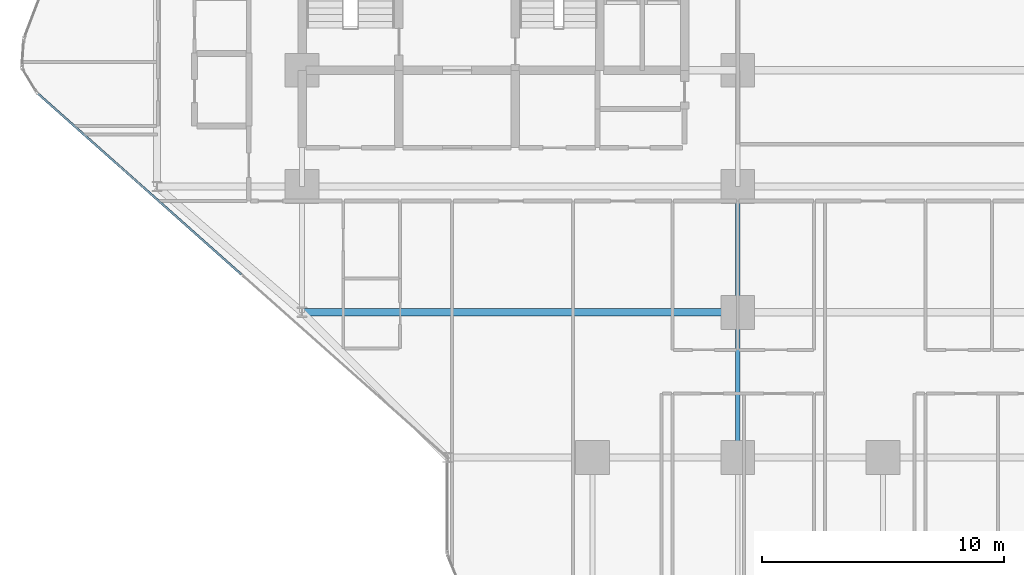
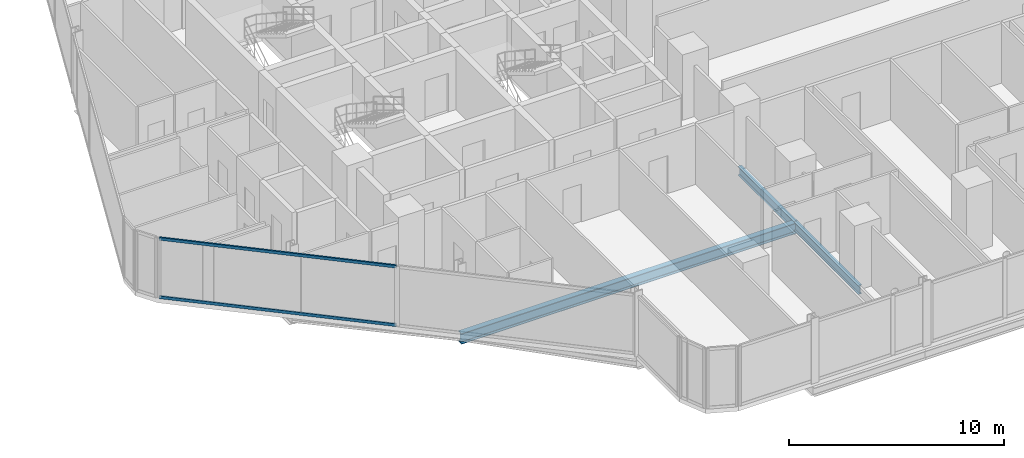
# One storey, part 4 of 33: 3 beams, 2 members, 1 element without a shape of its own.
"""IFC4 building model written with IfcOpenShell, lengths in metres."""

from ifc_helpers import new_model, si_unit, direction, frame, origin, origin_2d, place, context, subcontext, project, spatial, hollow_rectangle, i_section, extrude, material, layer, layer_set, material_profile, profile_set, type_object, element, aggregate, save


model = new_model("IFC4")

# Units and contexts
model_context = context("Model", 3, precision=1e-05, world=origin(), true_north=direction((0.0, 1.0)))
body_context = subcontext(model_context, "Body", "Model", "MODEL_VIEW")
ifc_project = project(units=[si_unit("LENGTHUNIT", "METRE"), si_unit("AREAUNIT", "SQUARE_METRE"), si_unit("VOLUMEUNIT", "CUBIC_METRE"), si_unit("PLANEANGLEUNIT", "RADIAN"), si_unit("MASSUNIT", "GRAM", prefix="KILO")], contexts=[model_context])

# Site, building, storey
site_placement = place(None, origin())
site = spatial("IfcSite", under=ifc_project, at=site_placement, CompositionType="ELEMENT")
building_placement = place(site_placement, origin())
building = spatial("IfcBuilding", under=site, at=building_placement, Name="Keshet Zoharim Tower", CompositionType="ELEMENT")
storey_placement = place(building_placement, frame((0.0, 0.0, 42.5)))
storey = spatial("IfcBuildingStorey", under=building, at=storey_placement, Name="L09", CompositionType="ELEMENT", Elevation=42.5)

# Beams
ifc_material_1 = material(Name="Steel S355", Category="steel")
ifc_material_profile_1 = material_profile(ifc_material_1, i_section(OverallWidth=0.300048828125, OverallDepth=0.60009765625, WebThickness=0.015380859375, FlangeThickness=0.030029296875, FilletRadius=0.027099609375, at=origin_2d()), Name="HEB600")
ifc_profile_set_1 = profile_set([ifc_material_profile_1], Name="Steel S355")
beam_type_1 = type_object("IfcBeamType", Name="BM-LNG-HB600", PredefinedType="BEAM", material=ifc_profile_set_1)
beam_1_placement = place(storey_placement, frame((15.0, 12.699951171875, -0.614990234375), z_axis=(1.0, 0.0, 0.0), x_axis=(0.0, 1.0, 0.0)))
element("IfcBeam", 1, at=beam_1_placement, inside=storey, type_object=beam_type_1, Name="L09 Primary Girder X-011", PredefinedType="BEAM", context=body_context, shape_type="SweptSolid", body=[
    extrude(i_section(OverallWidth=0.300048828125, OverallDepth=0.60009765625, WebThickness=0.015380859375, FlangeThickness=0.030029296875, FilletRadius=0.027099609375, at=origin_2d()), origin(), (0.0, 0.0, 1.0), 18.0),
])
ifc_material_profile_2 = material_profile(ifc_material_1, i_section(OverallWidth=0.199951171875, OverallDepth=0.5, WebThickness=0.01025390625, FlangeThickness=0.01611328125, FilletRadius=0.02099609375, at=origin_2d()), Name="IPE500")
ifc_profile_set_2 = profile_set([ifc_material_profile_2], Name="Steel S355")
beam_type_2 = type_object("IfcBeamType", Name="BM-PRI-IP500", PredefinedType="BEAM", material=ifc_profile_set_2)
beam_2_placement = place(storey_placement, frame((33.0, 6.699951171875, -0.56494140625), z_axis=(0.0, 1.0, 0.0), x_axis=(-1.0, 0.0, 0.0)))
element("IfcBeam", 2, at=beam_2_placement, inside=storey, type_object=beam_type_2, Name="L09 Primary Girder Y-006", PredefinedType="BEAM", context=body_context, shape_type="SweptSolid", body=[
    extrude(i_section(OverallWidth=0.199951171875, OverallDepth=0.5, WebThickness=0.01025390625, FlangeThickness=0.01611328125, FilletRadius=0.02099609375, at=origin_2d()), origin(), (0.0, 0.0, 1.0), 6.0),
])
beam_3_placement = place(storey_placement, frame((33.0, 12.699951171875, -0.56494140625), z_axis=(0.0, 1.0, 0.0), x_axis=(-1.0, 0.0, 0.0)))
element("IfcBeam", 3, at=beam_3_placement, inside=storey, type_object=beam_type_2, Name="L09 Primary Girder Y-007", PredefinedType="BEAM", context=body_context, shape_type="SweptSolid", body=[
    extrude(i_section(OverallWidth=0.199951171875, OverallDepth=0.5, WebThickness=0.01025390625, FlangeThickness=0.01611328125, FilletRadius=0.02099609375, at=origin_2d()), origin(), (0.0, 0.0, 1.0), 5.199951171875),
])

# Curtain wall, members
ifc_material_2 = material(Name="Aluminium 6063-T6", Category="aluminium")
ifc_layer = layer(ifc_material_2, 0.179931640625)
ifc_layer_set = layer_set([ifc_layer], Name="Aluminium 6063-T6")
curtain_wall_type = type_object("IfcCurtainWallType", Name="CW-SYS-01", PredefinedType="NOTDEFINED", material=ifc_layer_set)
curtain_wall_placement = place(storey_placement, origin())
curtain_wall = element("IfcCurtainWall", 4, at=curtain_wall_placement, inside=storey, type_object=curtain_wall_type, Name="L09 Unitised Curtain Wall 01", PredefinedType="NOTDEFINED")
ifc_material_profile_3 = material_profile(ifc_material_2, hollow_rectangle(XDim=0.0849609375, YDim=0.159912109375, WallThickness=0.00439453125, at=origin_2d()), Name="TRN-85x160")
ifc_profile_set_3 = profile_set([ifc_material_profile_3], Name="Aluminium 6063-T6")
member_type = type_object("IfcMemberType", Name="CWT-T16", PredefinedType="USERDEFINED", material=ifc_profile_set_3)
member_1_placement = place(storey_placement, frame((12.491455078125, 14.26318359375, 0.034912109375), z_axis=(-0.747411714548, 0.664361143472, 0.0), x_axis=(-0.664361143472, -0.747411714548, 0.0)))
member_1 = element("IfcMember", 5, at=member_1_placement, type_object=member_type, Name="CW-01 transom 2.1", ObjectType="TRANSOM", PredefinedType="USERDEFINED", context=body_context, shape_type="SweptSolid", body=[
    extrude(hollow_rectangle(XDim=0.0849609375, YDim=0.159912109375, WallThickness=0.00439453125, at=origin_2d()), origin(), (0.0, 0.0, 1.0), 11.244140625),
])
member_2_placement = place(storey_placement, frame((12.491455078125, 14.26318359375, 3.35009765625), z_axis=(-0.747411714548, 0.664361143472, 0.0), x_axis=(-0.664361143472, -0.747411714548, 0.0)))
member_2 = element("IfcMember", 6, at=member_2_placement, type_object=member_type, Name="CW-01 transom 2.2", ObjectType="TRANSOM", PredefinedType="USERDEFINED", context=body_context, shape_type="SweptSolid", body=[
    extrude(hollow_rectangle(XDim=0.0849609375, YDim=0.159912109375, WallThickness=0.00439453125, at=origin_2d()), origin(), (0.0, 0.0, 1.0), 11.244140625),
])
aggregate(curtain_wall, [member_1, member_2])

save(model, "model.ifc")
